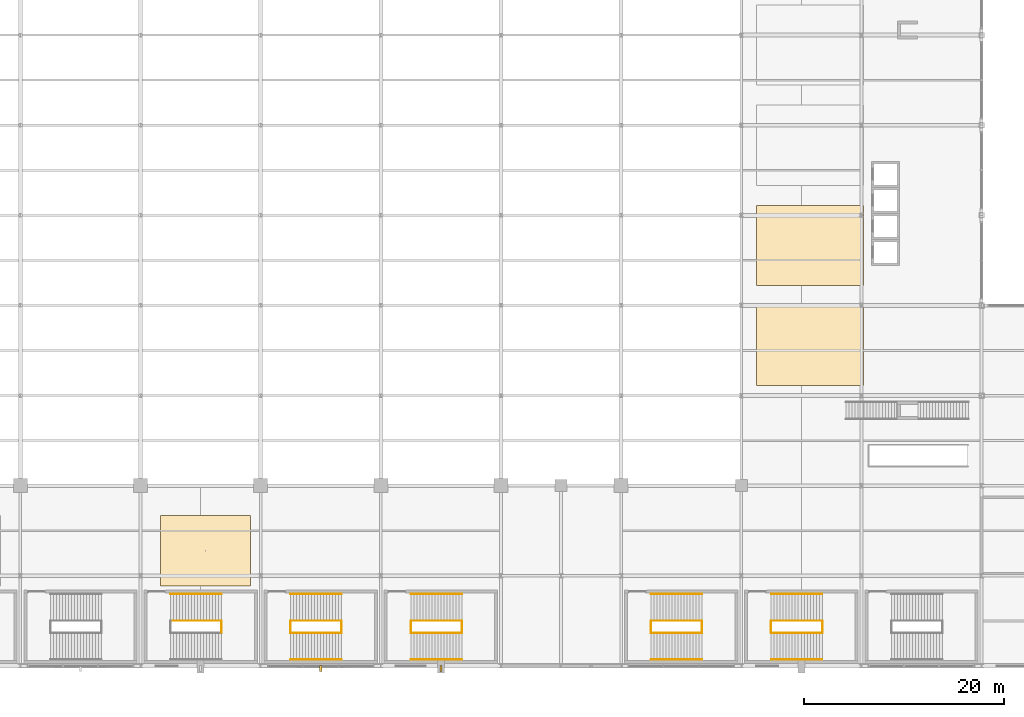
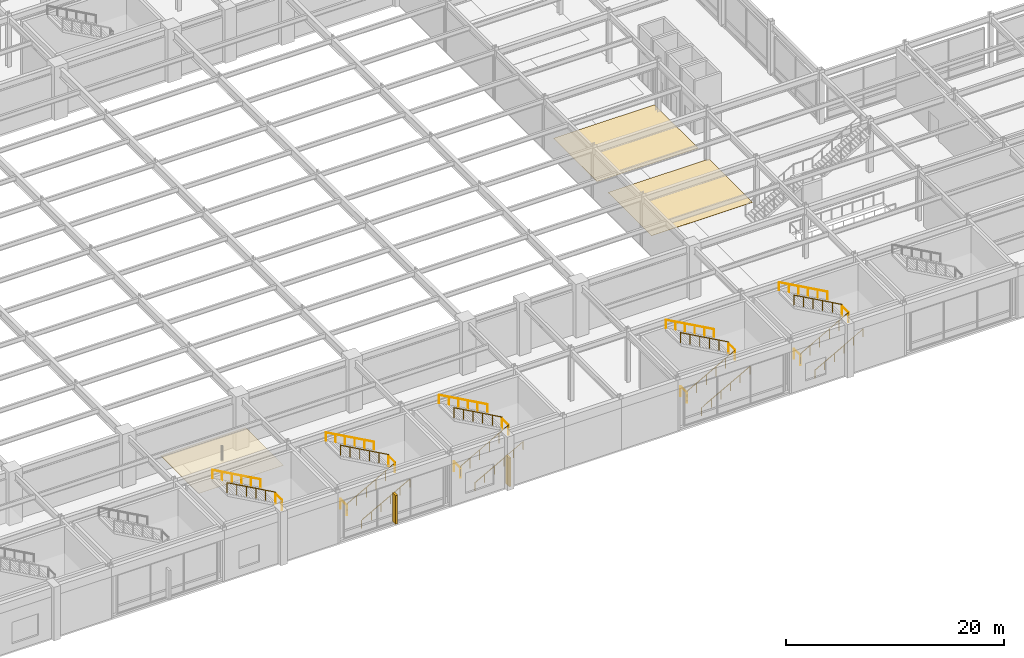
# One storey, part 98 of 105: 27 railings, 3 coverings, 2 shading devices.
"""IFC4 building model written with IfcOpenShell, lengths in metres."""

from ifc_helpers import new_model, si_unit, direction, frame, origin, origin_2d, place, context, subcontext, project, spatial, polyline, rectangle, circle, outline, extrude, material, layer, layer_set, type_object, element, save


model = new_model("IFC4")

# Units and contexts
model_context = context("Model", 3, precision=1e-05, world=origin(), true_north=direction((0.0, 1.0)))
body_context = subcontext(model_context, "Body", "Model", "MODEL_VIEW")
ifc_project = project(units=[si_unit("LENGTHUNIT", "METRE"), si_unit("AREAUNIT", "SQUARE_METRE"), si_unit("VOLUMEUNIT", "CUBIC_METRE"), si_unit("PLANEANGLEUNIT", "RADIAN"), si_unit("MASSUNIT", "GRAM", prefix="KILO")], contexts=[model_context])

# Site, building, storey
site_placement = place(None, origin())
site = spatial("IfcSite", under=ifc_project, at=site_placement, CompositionType="ELEMENT")
building_placement = place(site_placement, origin())
building = spatial("IfcBuilding", under=site, at=building_placement, Name="Kaldorvane Square Convention Centre", CompositionType="ELEMENT")
storey_placement = place(building_placement, frame((0.0, 0.0, 6.0)))
storey = spatial("IfcBuildingStorey", under=building, at=storey_placement, Name="L01", CompositionType="ELEMENT", Elevation=6.0)

# Coverings
ifc_material_1 = material(Name="Perforated Acoustic Mineral Fiber Ceiling")
ifc_layer_1 = layer(ifc_material_1, 0.024993896484375)
ifc_layer_set_1 = layer_set([ifc_layer_1], Name="Perforated Acoustic Mineral Fiber Ceiling")
covering_type_1 = type_object("IfcCoveringType", Name="CV-CEIL-025", PredefinedType="CEILING", material=ifc_layer_set_1)
covering_1_placement = place(storey_placement, frame((0.0, 0.0, 4.100006103515625)))
element("IfcCovering", 1, at=covering_1_placement, inside=storey, type_object=covering_type_1, Name="Acoustic Ceiling Canopy 04 (L01)", PredefinedType="CEILING", context=body_context, shape_type="SweptSolid", body=[
    extrude(outline(polyline([(56.0, 8.0), (65.0, 8.0), (65.0, 15.0), (56.0, 15.0), (56.0, 8.0)])), origin(), (0.0, 0.0, 1.0), 0.024993896484375),
])
ifc_material_2 = material(Name="Polished Aggregate Terrazzo Flooring")
ifc_layer_2 = layer(ifc_material_2, 0.0200042724609375)
ifc_layer_set_2 = layer_set([ifc_layer_2], Name="Polished Aggregate Terrazzo Flooring")
covering_type_2 = type_object("IfcCoveringType", Name="CV-FLR-020", PredefinedType="FLOORING", material=ifc_layer_set_2)
covering_2_placement = place(storey_placement, origin())
element("IfcCovering", 2, at=covering_2_placement, inside=storey, type_object=covering_type_2, Name="Mezzanine Gallery Terrazzo Zone 1", PredefinedType="FLOORING", context=body_context, shape_type="SweptSolid", body=[
    extrude(outline(polyline([(115.5, 28.0), (126.19999694824219, 28.0), (126.19999694824219, 36.0), (115.5, 36.0), (115.5, 28.0)])), origin(), (0.0, 0.0, 1.0), 0.0200042724609375),
])
covering_3_placement = place(storey_placement, origin())
element("IfcCovering", 3, at=covering_3_placement, inside=storey, type_object=covering_type_2, Name="Mezzanine Gallery Terrazzo Zone 2", PredefinedType="FLOORING", context=body_context, shape_type="SweptSolid", body=[
    extrude(outline(polyline([(115.5, 38.0), (126.19999694824219, 38.0), (126.19999694824219, 46.0), (115.5, 46.0), (115.5, 38.0)])), origin(), (0.0, 0.0, 1.0), 0.0200042724609375),
])

# Railings
ifc_material_3 = material(Name="Architectural Painted Steel", Category="steel")
railing_type_1 = type_object("IfcRailingType", Name="RL-GUARD-1120", PredefinedType="BALUSTRADE", material=ifc_material_3)
railing_1_placement = place(storey_placement, frame((62.089996337890625, 3.30999755859375, 3.0)))
element("IfcRailing", 4, at=railing_1_placement, inside=storey, type_object=railing_type_1, Name="Convention Exit Stair C5 Half-Landing Guard (L01)", PredefinedType="BALUSTRADE", context=body_context, shape_type="SweptSolid", body=[
    extrude(circle(Radius=0.0240020751953125, at=origin_2d()), frame((0.0, 0.0, 1.0959930419921875), z_axis=(0.0, 1.0, 0.0), x_axis=(-1.0, 0.0, 0.0)), (0.0, 0.0, 1.0), 1.19000244140625),
    extrude(circle(Radius=0.02099609375, at=origin_2d()), origin(), (0.0, 0.0, 1.0), 1.071990966796875),
    extrude(circle(Radius=0.02099609375, at=origin_2d()), frame((0.0, 1.19000244140625, 0.0)), (0.0, 0.0, 1.0), 1.071990966796875),
])
railing_2_placement = place(storey_placement, frame((62.089996337890625, 4.5099945068359375, 3.1666717529296875)))
element("IfcRailing", 5, at=railing_2_placement, inside=storey, type_object=railing_type_1, Name="Convention Exit Stair C5 Flight 2 Guard (L01)", PredefinedType="BALUSTRADE", context=body_context, shape_type="SweptSolid", body=[
    extrude(circle(Radius=0.0240020751953125, at=origin_2d()), frame((0.0, 0.0, 1.0959930419921875), z_axis=(-0.874157276122, 0.0, 0.485642931179), x_axis=(0.0, -1.0, 0.0)), (0.0, 0.0, 1.0), 5.8341827392578125),
    extrude(circle(Radius=0.02099609375, at=origin_2d()), origin(), (0.0, 0.0, 1.0), 1.071990966796875),
    extrude(circle(Radius=0.02099609375, at=origin_2d()), frame((-1.0200042724609375, 0.0, 0.5666656494140625)), (0.0, 0.0, 1.0), 1.071990966796875),
    extrude(circle(Radius=0.02099609375, at=origin_2d()), frame((-2.0399932861328125, 0.0, 1.133331298828125)), (0.0, 0.0, 1.0), 1.071990966796875),
    extrude(circle(Radius=0.02099609375, at=origin_2d()), frame((-3.05999755859375, 0.0, 1.6999969482421875)), (0.0, 0.0, 1.0), 1.071990966796875),
    extrude(circle(Radius=0.02099609375, at=origin_2d()), frame((-4.079986572265625, 0.0, 2.26666259765625)), (0.0, 0.0, 1.0), 1.071990966796875),
    extrude(circle(Radius=0.02099609375, at=origin_2d()), frame((-5.0999908447265625, 0.0, 2.8333282470703125)), (0.0, 0.0, 1.0), 1.071990966796875),
])
for number, where, name in (
    (6, (68.99000549316406, 3.30999755859375, 0.0), "Convention Exit Stair C6 Floor Well Guard (L01)"),
    (7, (74.08999633789062, 3.30999755859375, 3.0), "Convention Exit Stair C6 Half-Landing Guard (L01)"),
):
    element("IfcRailing", number, at=place(storey_placement, frame(where)), inside=storey, type_object=railing_type_1, Name=name, PredefinedType="BALUSTRADE", context=body_context, shape_type="SweptSolid", body=[
        extrude(circle(Radius=0.0240020751953125, at=origin_2d()), frame((0.0, 0.0, 1.0959930419921875), z_axis=(0.0, 1.0, 0.0), x_axis=(-1.0, 0.0, 0.0)), (0.0, 0.0, 1.0), 1.19000244140625),
        extrude(circle(Radius=0.02099609375, at=origin_2d()), origin(), (0.0, 0.0, 1.0), 1.071990966796875),
        extrude(circle(Radius=0.02099609375, at=origin_2d()), frame((0.0, 1.19000244140625, 0.0)), (0.0, 0.0, 1.0), 1.071990966796875),
    ])
railing_3_placement = place(storey_placement, frame((68.99000549316406, 3.3000030517578125, 0.1666717529296875)))
element("IfcRailing", 8, at=railing_3_placement, inside=storey, type_object=railing_type_1, Name="Convention Exit Stair C6 Flight 1 Guard (L01)", PredefinedType="BALUSTRADE", context=body_context, shape_type="SweptSolid", body=[
    extrude(circle(Radius=0.0240020751953125, at=origin_2d()), frame((0.0, 0.0, 1.0959930419921875), z_axis=(0.874157276122, 0.0, 0.485642931179), x_axis=(0.0, 1.0, 0.0)), (0.0, 0.0, 1.0), 5.8341827392578125),
    extrude(circle(Radius=0.02099609375, at=origin_2d()), origin(), (0.0, 0.0, 1.0), 1.071990966796875),
    extrude(circle(Radius=0.02099609375, at=origin_2d()), frame((1.0200042724609375, 0.0, 0.5666656494140625)), (0.0, 0.0, 1.0), 1.071990966796875),
    extrude(circle(Radius=0.02099609375, at=origin_2d()), frame((2.0399932861328125, 0.0, 1.133331298828125)), (0.0, 0.0, 1.0), 1.071990966796875),
    extrude(circle(Radius=0.02099609375, at=origin_2d()), frame((3.05999755859375, 0.0, 1.6999969482421875)), (0.0, 0.0, 1.0), 1.071990966796875),
    extrude(circle(Radius=0.02099609375, at=origin_2d()), frame((4.079986572265625, 0.0, 2.26666259765625)), (0.0, 0.0, 1.0), 1.071990966796875),
    extrude(circle(Radius=0.02099609375, at=origin_2d()), frame((5.0999908447265625, 0.0, 2.8333282470703125)), (0.0, 0.0, 1.0), 1.071990966796875),
])
railing_4_placement = place(storey_placement, frame((74.08999633789062, 4.5099945068359375, 3.1666717529296875)))
element("IfcRailing", 9, at=railing_4_placement, inside=storey, type_object=railing_type_1, Name="Convention Exit Stair C6 Flight 2 Guard (L01)", PredefinedType="BALUSTRADE", context=body_context, shape_type="SweptSolid", body=[
    extrude(circle(Radius=0.0240020751953125, at=origin_2d()), frame((0.0, 0.0, 1.0959930419921875), z_axis=(-0.874157276122, 0.0, 0.485642931179), x_axis=(0.0, -1.0, 0.0)), (0.0, 0.0, 1.0), 5.8341827392578125),
    extrude(circle(Radius=0.02099609375, at=origin_2d()), origin(), (0.0, 0.0, 1.0), 1.071990966796875),
    extrude(circle(Radius=0.02099609375, at=origin_2d()), frame((-1.0200042724609375, 0.0, 0.5666656494140625)), (0.0, 0.0, 1.0), 1.071990966796875),
    extrude(circle(Radius=0.02099609375, at=origin_2d()), frame((-2.0399932861328125, 0.0, 1.133331298828125)), (0.0, 0.0, 1.0), 1.071990966796875),
    extrude(circle(Radius=0.02099609375, at=origin_2d()), frame((-3.05999755859375, 0.0, 1.6999969482421875)), (0.0, 0.0, 1.0), 1.071990966796875),
    extrude(circle(Radius=0.02099609375, at=origin_2d()), frame((-4.079986572265625, 0.0, 2.26666259765625)), (0.0, 0.0, 1.0), 1.071990966796875),
    extrude(circle(Radius=0.02099609375, at=origin_2d()), frame((-5.0999908447265625, 0.0, 2.8333282470703125)), (0.0, 0.0, 1.0), 1.071990966796875),
])
for number, where, name in (
    (10, (80.99000549316406, 3.30999755859375, 0.0), "Convention Exit Stair C7 Floor Well Guard (L01)"),
    (11, (86.08999633789062, 3.30999755859375, 3.0), "Convention Exit Stair C7 Half-Landing Guard (L01)"),
):
    element("IfcRailing", number, at=place(storey_placement, frame(where)), inside=storey, type_object=railing_type_1, Name=name, PredefinedType="BALUSTRADE", context=body_context, shape_type="SweptSolid", body=[
        extrude(circle(Radius=0.0240020751953125, at=origin_2d()), frame((0.0, 0.0, 1.0959930419921875), z_axis=(0.0, 1.0, 0.0), x_axis=(-1.0, 0.0, 0.0)), (0.0, 0.0, 1.0), 1.19000244140625),
        extrude(circle(Radius=0.02099609375, at=origin_2d()), origin(), (0.0, 0.0, 1.0), 1.071990966796875),
        extrude(circle(Radius=0.02099609375, at=origin_2d()), frame((0.0, 1.19000244140625, 0.0)), (0.0, 0.0, 1.0), 1.071990966796875),
    ])
railing_5_placement = place(storey_placement, frame((80.99000549316406, 3.3000030517578125, 0.1666717529296875)))
element("IfcRailing", 12, at=railing_5_placement, inside=storey, type_object=railing_type_1, Name="Convention Exit Stair C7 Flight 1 Guard (L01)", PredefinedType="BALUSTRADE", context=body_context, shape_type="SweptSolid", body=[
    extrude(circle(Radius=0.0240020751953125, at=origin_2d()), frame((0.0, 0.0, 1.0959930419921875), z_axis=(0.874157276122, 0.0, 0.485642931179), x_axis=(0.0, 1.0, 0.0)), (0.0, 0.0, 1.0), 5.8341827392578125),
    extrude(circle(Radius=0.02099609375, at=origin_2d()), origin(), (0.0, 0.0, 1.0), 1.071990966796875),
    extrude(circle(Radius=0.02099609375, at=origin_2d()), frame((1.0200042724609375, 0.0, 0.5666656494140625)), (0.0, 0.0, 1.0), 1.071990966796875),
    extrude(circle(Radius=0.02099609375, at=origin_2d()), frame((2.0399932861328125, 0.0, 1.133331298828125)), (0.0, 0.0, 1.0), 1.071990966796875),
    extrude(circle(Radius=0.02099609375, at=origin_2d()), frame((3.05999755859375, 0.0, 1.6999969482421875)), (0.0, 0.0, 1.0), 1.071990966796875),
    extrude(circle(Radius=0.02099609375, at=origin_2d()), frame((4.079986572265625, 0.0, 2.26666259765625)), (0.0, 0.0, 1.0), 1.071990966796875),
    extrude(circle(Radius=0.02099609375, at=origin_2d()), frame((5.0999908447265625, 0.0, 2.8333282470703125)), (0.0, 0.0, 1.0), 1.071990966796875),
])
railing_6_placement = place(storey_placement, frame((86.08999633789062, 4.5099945068359375, 3.1666717529296875)))
element("IfcRailing", 13, at=railing_6_placement, inside=storey, type_object=railing_type_1, Name="Convention Exit Stair C7 Flight 2 Guard (L01)", PredefinedType="BALUSTRADE", context=body_context, shape_type="SweptSolid", body=[
    extrude(circle(Radius=0.0240020751953125, at=origin_2d()), frame((0.0, 0.0, 1.0959930419921875), z_axis=(-0.874157276122, 0.0, 0.485642931179), x_axis=(0.0, -1.0, 0.0)), (0.0, 0.0, 1.0), 5.8341827392578125),
    extrude(circle(Radius=0.02099609375, at=origin_2d()), origin(), (0.0, 0.0, 1.0), 1.071990966796875),
    extrude(circle(Radius=0.02099609375, at=origin_2d()), frame((-1.0200042724609375, 0.0, 0.5666656494140625)), (0.0, 0.0, 1.0), 1.071990966796875),
    extrude(circle(Radius=0.02099609375, at=origin_2d()), frame((-2.0399932861328125, 0.0, 1.133331298828125)), (0.0, 0.0, 1.0), 1.071990966796875),
    extrude(circle(Radius=0.02099609375, at=origin_2d()), frame((-3.05999755859375, 0.0, 1.6999969482421875)), (0.0, 0.0, 1.0), 1.071990966796875),
    extrude(circle(Radius=0.02099609375, at=origin_2d()), frame((-4.079986572265625, 0.0, 2.26666259765625)), (0.0, 0.0, 1.0), 1.071990966796875),
    extrude(circle(Radius=0.02099609375, at=origin_2d()), frame((-5.0999908447265625, 0.0, 2.8333282470703125)), (0.0, 0.0, 1.0), 1.071990966796875),
])
for number, where, name in (
    (14, (104.99000549316406, 3.30999755859375, 0.0), "Convention Exit Stair C8 Floor Well Guard (L01)"),
    (15, (110.08999633789062, 3.30999755859375, 3.0), "Convention Exit Stair C8 Half-Landing Guard (L01)"),
):
    element("IfcRailing", number, at=place(storey_placement, frame(where)), inside=storey, type_object=railing_type_1, Name=name, PredefinedType="BALUSTRADE", context=body_context, shape_type="SweptSolid", body=[
        extrude(circle(Radius=0.0240020751953125, at=origin_2d()), frame((0.0, 0.0, 1.0959930419921875), z_axis=(0.0, 1.0, 0.0), x_axis=(-1.0, 0.0, 0.0)), (0.0, 0.0, 1.0), 1.19000244140625),
        extrude(circle(Radius=0.02099609375, at=origin_2d()), origin(), (0.0, 0.0, 1.0), 1.071990966796875),
        extrude(circle(Radius=0.02099609375, at=origin_2d()), frame((0.0, 1.19000244140625, 0.0)), (0.0, 0.0, 1.0), 1.071990966796875),
    ])
railing_7_placement = place(storey_placement, frame((104.99000549316406, 3.3000030517578125, 0.1666717529296875)))
element("IfcRailing", 16, at=railing_7_placement, inside=storey, type_object=railing_type_1, Name="Convention Exit Stair C8 Flight 1 Guard (L01)", PredefinedType="BALUSTRADE", context=body_context, shape_type="SweptSolid", body=[
    extrude(circle(Radius=0.0240020751953125, at=origin_2d()), frame((0.0, 0.0, 1.0959930419921875), z_axis=(0.874157276122, 0.0, 0.485642931179), x_axis=(0.0, 1.0, 0.0)), (0.0, 0.0, 1.0), 5.8341827392578125),
    extrude(circle(Radius=0.02099609375, at=origin_2d()), origin(), (0.0, 0.0, 1.0), 1.071990966796875),
    extrude(circle(Radius=0.02099609375, at=origin_2d()), frame((1.0200042724609375, 0.0, 0.5666656494140625)), (0.0, 0.0, 1.0), 1.071990966796875),
    extrude(circle(Radius=0.02099609375, at=origin_2d()), frame((2.0399932861328125, 0.0, 1.133331298828125)), (0.0, 0.0, 1.0), 1.071990966796875),
    extrude(circle(Radius=0.02099609375, at=origin_2d()), frame((3.05999755859375, 0.0, 1.6999969482421875)), (0.0, 0.0, 1.0), 1.071990966796875),
    extrude(circle(Radius=0.02099609375, at=origin_2d()), frame((4.079986572265625, 0.0, 2.26666259765625)), (0.0, 0.0, 1.0), 1.071990966796875),
    extrude(circle(Radius=0.02099609375, at=origin_2d()), frame((5.0999908447265625, 0.0, 2.8333282470703125)), (0.0, 0.0, 1.0), 1.071990966796875),
])
railing_8_placement = place(storey_placement, frame((110.08999633789062, 4.5099945068359375, 3.1666717529296875)))
element("IfcRailing", 17, at=railing_8_placement, inside=storey, type_object=railing_type_1, Name="Convention Exit Stair C8 Flight 2 Guard (L01)", PredefinedType="BALUSTRADE", context=body_context, shape_type="SweptSolid", body=[
    extrude(circle(Radius=0.0240020751953125, at=origin_2d()), frame((0.0, 0.0, 1.0959930419921875), z_axis=(-0.874157276122, 0.0, 0.485642931179), x_axis=(0.0, -1.0, 0.0)), (0.0, 0.0, 1.0), 5.8341827392578125),
    extrude(circle(Radius=0.02099609375, at=origin_2d()), origin(), (0.0, 0.0, 1.0), 1.071990966796875),
    extrude(circle(Radius=0.02099609375, at=origin_2d()), frame((-1.0200042724609375, 0.0, 0.5666656494140625)), (0.0, 0.0, 1.0), 1.071990966796875),
    extrude(circle(Radius=0.02099609375, at=origin_2d()), frame((-2.0399932861328125, 0.0, 1.133331298828125)), (0.0, 0.0, 1.0), 1.071990966796875),
    extrude(circle(Radius=0.02099609375, at=origin_2d()), frame((-3.05999755859375, 0.0, 1.6999969482421875)), (0.0, 0.0, 1.0), 1.071990966796875),
    extrude(circle(Radius=0.02099609375, at=origin_2d()), frame((-4.079986572265625, 0.0, 2.26666259765625)), (0.0, 0.0, 1.0), 1.071990966796875),
    extrude(circle(Radius=0.02099609375, at=origin_2d()), frame((-5.0999908447265625, 0.0, 2.8333282470703125)), (0.0, 0.0, 1.0), 1.071990966796875),
])
for number, where, name in (
    (18, (116.99000549316406, 3.30999755859375, 0.0), "Convention Exit Stair C9 Floor Well Guard (L01)"),
    (19, (122.08999633789062, 3.30999755859375, 3.0), "Convention Exit Stair C9 Half-Landing Guard (L01)"),
):
    element("IfcRailing", number, at=place(storey_placement, frame(where)), inside=storey, type_object=railing_type_1, Name=name, PredefinedType="BALUSTRADE", context=body_context, shape_type="SweptSolid", body=[
        extrude(circle(Radius=0.0240020751953125, at=origin_2d()), frame((0.0, 0.0, 1.0959930419921875), z_axis=(0.0, 1.0, 0.0), x_axis=(-1.0, 0.0, 0.0)), (0.0, 0.0, 1.0), 1.19000244140625),
        extrude(circle(Radius=0.02099609375, at=origin_2d()), origin(), (0.0, 0.0, 1.0), 1.071990966796875),
        extrude(circle(Radius=0.02099609375, at=origin_2d()), frame((0.0, 1.19000244140625, 0.0)), (0.0, 0.0, 1.0), 1.071990966796875),
    ])
railing_9_placement = place(storey_placement, frame((116.99000549316406, 3.3000030517578125, 0.1666717529296875)))
element("IfcRailing", 20, at=railing_9_placement, inside=storey, type_object=railing_type_1, Name="Convention Exit Stair C9 Flight 1 Guard (L01)", PredefinedType="BALUSTRADE", context=body_context, shape_type="SweptSolid", body=[
    extrude(circle(Radius=0.0240020751953125, at=origin_2d()), frame((0.0, 0.0, 1.0959930419921875), z_axis=(0.874157276122, 0.0, 0.485642931179), x_axis=(0.0, 1.0, 0.0)), (0.0, 0.0, 1.0), 5.8341827392578125),
    extrude(circle(Radius=0.02099609375, at=origin_2d()), origin(), (0.0, 0.0, 1.0), 1.071990966796875),
    extrude(circle(Radius=0.02099609375, at=origin_2d()), frame((1.0200042724609375, 0.0, 0.5666656494140625)), (0.0, 0.0, 1.0), 1.071990966796875),
    extrude(circle(Radius=0.02099609375, at=origin_2d()), frame((2.0399932861328125, 0.0, 1.133331298828125)), (0.0, 0.0, 1.0), 1.071990966796875),
    extrude(circle(Radius=0.02099609375, at=origin_2d()), frame((3.05999755859375, 0.0, 1.6999969482421875)), (0.0, 0.0, 1.0), 1.071990966796875),
    extrude(circle(Radius=0.02099609375, at=origin_2d()), frame((4.079986572265625, 0.0, 2.26666259765625)), (0.0, 0.0, 1.0), 1.071990966796875),
    extrude(circle(Radius=0.02099609375, at=origin_2d()), frame((5.0999908447265625, 0.0, 2.8333282470703125)), (0.0, 0.0, 1.0), 1.071990966796875),
])
railing_10_placement = place(storey_placement, frame((122.08999633789062, 4.5099945068359375, 3.1666717529296875)))
element("IfcRailing", 21, at=railing_10_placement, inside=storey, type_object=railing_type_1, Name="Convention Exit Stair C9 Flight 2 Guard (L01)", PredefinedType="BALUSTRADE", context=body_context, shape_type="SweptSolid", body=[
    extrude(circle(Radius=0.0240020751953125, at=origin_2d()), frame((0.0, 0.0, 1.0959930419921875), z_axis=(-0.874157276122, 0.0, 0.485642931179), x_axis=(0.0, -1.0, 0.0)), (0.0, 0.0, 1.0), 5.8341827392578125),
    extrude(circle(Radius=0.02099609375, at=origin_2d()), origin(), (0.0, 0.0, 1.0), 1.071990966796875),
    extrude(circle(Radius=0.02099609375, at=origin_2d()), frame((-1.0200042724609375, 0.0, 0.5666656494140625)), (0.0, 0.0, 1.0), 1.071990966796875),
    extrude(circle(Radius=0.02099609375, at=origin_2d()), frame((-2.0399932861328125, 0.0, 1.133331298828125)), (0.0, 0.0, 1.0), 1.071990966796875),
    extrude(circle(Radius=0.02099609375, at=origin_2d()), frame((-3.05999755859375, 0.0, 1.6999969482421875)), (0.0, 0.0, 1.0), 1.071990966796875),
    extrude(circle(Radius=0.02099609375, at=origin_2d()), frame((-4.079986572265625, 0.0, 2.26666259765625)), (0.0, 0.0, 1.0), 1.071990966796875),
    extrude(circle(Radius=0.02099609375, at=origin_2d()), frame((-5.0999908447265625, 0.0, 2.8333282470703125)), (0.0, 0.0, 1.0), 1.071990966796875),
])
railing_type_2 = type_object("IfcRailingType", Name="RL-HAND-915", PredefinedType="HANDRAIL", material=ifc_material_3)
railing_11_placement = place(storey_placement, frame((62.089996337890625, 7.19000244140625, 3.1666717529296875)))
element("IfcRailing", 22, at=railing_11_placement, inside=storey, type_object=railing_type_2, Name="Convention Exit Stair C5 Wall Handrail 2 (L01)", PredefinedType="HANDRAIL", context=body_context, shape_type="SweptSolid", body=[
    extrude(circle(Radius=0.0240020751953125, at=origin_2d()), frame((0.0, 0.0, 0.8909912109375), z_axis=(-0.874157276122, 0.0, 0.485642931179), x_axis=(0.0, -1.0, 0.0)), (0.0, 0.0, 1.0), 5.8341827392578125),
    extrude(circle(Radius=0.02099609375, at=origin_2d()), origin(), (0.0, 0.0, 1.0), 0.8669891357421875),
    extrude(circle(Radius=0.02099609375, at=origin_2d()), frame((-1.0200042724609375, 0.0, 0.5666656494140625)), (0.0, 0.0, 1.0), 0.8669891357421875),
    extrude(circle(Radius=0.02099609375, at=origin_2d()), frame((-2.0399932861328125, 0.0, 1.133331298828125)), (0.0, 0.0, 1.0), 0.8669891357421875),
    extrude(circle(Radius=0.02099609375, at=origin_2d()), frame((-3.05999755859375, 0.0, 1.6999969482421875)), (0.0, 0.0, 1.0), 0.8669891357421875),
    extrude(circle(Radius=0.02099609375, at=origin_2d()), frame((-4.079986572265625, 0.0, 2.26666259765625)), (0.0, 0.0, 1.0), 0.8669891357421875),
    extrude(circle(Radius=0.02099609375, at=origin_2d()), frame((-5.0999908447265625, 0.0, 2.8333282470703125)), (0.0, 0.0, 1.0), 0.8669891357421875),
])
railing_12_placement = place(storey_placement, frame((68.99000549316406, 0.6199951171875, 0.1666717529296875)))
element("IfcRailing", 23, at=railing_12_placement, inside=storey, type_object=railing_type_2, Name="Convention Exit Stair C6 Wall Handrail 1 (L01)", PredefinedType="HANDRAIL", context=body_context, shape_type="SweptSolid", body=[
    extrude(circle(Radius=0.0240020751953125, at=origin_2d()), frame((0.0, 0.0, 0.8909912109375), z_axis=(0.874157276122, 0.0, 0.485642931179), x_axis=(0.0, 1.0, 0.0)), (0.0, 0.0, 1.0), 5.8341827392578125),
    extrude(circle(Radius=0.02099609375, at=origin_2d()), origin(), (0.0, 0.0, 1.0), 0.8669891357421875),
    extrude(circle(Radius=0.02099609375, at=origin_2d()), frame((1.0200042724609375, 0.0, 0.5666656494140625)), (0.0, 0.0, 1.0), 0.8669891357421875),
    extrude(circle(Radius=0.02099609375, at=origin_2d()), frame((2.0399932861328125, 0.0, 1.133331298828125)), (0.0, 0.0, 1.0), 0.8669891357421875),
    extrude(circle(Radius=0.02099609375, at=origin_2d()), frame((3.05999755859375, 0.0, 1.6999969482421875)), (0.0, 0.0, 1.0), 0.8669891357421875),
    extrude(circle(Radius=0.02099609375, at=origin_2d()), frame((4.079986572265625, 0.0, 2.26666259765625)), (0.0, 0.0, 1.0), 0.8669891357421875),
    extrude(circle(Radius=0.02099609375, at=origin_2d()), frame((5.0999908447265625, 0.0, 2.8333282470703125)), (0.0, 0.0, 1.0), 0.8669891357421875),
])
railing_13_placement = place(storey_placement, frame((74.08999633789062, 7.19000244140625, 3.1666717529296875)))
element("IfcRailing", 24, at=railing_13_placement, inside=storey, type_object=railing_type_2, Name="Convention Exit Stair C6 Wall Handrail 2 (L01)", PredefinedType="HANDRAIL", context=body_context, shape_type="SweptSolid", body=[
    extrude(circle(Radius=0.0240020751953125, at=origin_2d()), frame((0.0, 0.0, 0.8909912109375), z_axis=(-0.874157276122, 0.0, 0.485642931179), x_axis=(0.0, -1.0, 0.0)), (0.0, 0.0, 1.0), 5.8341827392578125),
    extrude(circle(Radius=0.02099609375, at=origin_2d()), origin(), (0.0, 0.0, 1.0), 0.8669891357421875),
    extrude(circle(Radius=0.02099609375, at=origin_2d()), frame((-1.0200042724609375, 0.0, 0.5666656494140625)), (0.0, 0.0, 1.0), 0.8669891357421875),
    extrude(circle(Radius=0.02099609375, at=origin_2d()), frame((-2.0399932861328125, 0.0, 1.133331298828125)), (0.0, 0.0, 1.0), 0.8669891357421875),
    extrude(circle(Radius=0.02099609375, at=origin_2d()), frame((-3.05999755859375, 0.0, 1.6999969482421875)), (0.0, 0.0, 1.0), 0.8669891357421875),
    extrude(circle(Radius=0.02099609375, at=origin_2d()), frame((-4.079986572265625, 0.0, 2.26666259765625)), (0.0, 0.0, 1.0), 0.8669891357421875),
    extrude(circle(Radius=0.02099609375, at=origin_2d()), frame((-5.0999908447265625, 0.0, 2.8333282470703125)), (0.0, 0.0, 1.0), 0.8669891357421875),
])
railing_14_placement = place(storey_placement, frame((80.99000549316406, 0.6199951171875, 0.1666717529296875)))
element("IfcRailing", 25, at=railing_14_placement, inside=storey, type_object=railing_type_2, Name="Convention Exit Stair C7 Wall Handrail 1 (L01)", PredefinedType="HANDRAIL", context=body_context, shape_type="SweptSolid", body=[
    extrude(circle(Radius=0.0240020751953125, at=origin_2d()), frame((0.0, 0.0, 0.8909912109375), z_axis=(0.874157276122, 0.0, 0.485642931179), x_axis=(0.0, 1.0, 0.0)), (0.0, 0.0, 1.0), 5.8341827392578125),
    extrude(circle(Radius=0.02099609375, at=origin_2d()), origin(), (0.0, 0.0, 1.0), 0.8669891357421875),
    extrude(circle(Radius=0.02099609375, at=origin_2d()), frame((1.0200042724609375, 0.0, 0.5666656494140625)), (0.0, 0.0, 1.0), 0.8669891357421875),
    extrude(circle(Radius=0.02099609375, at=origin_2d()), frame((2.0399932861328125, 0.0, 1.133331298828125)), (0.0, 0.0, 1.0), 0.8669891357421875),
    extrude(circle(Radius=0.02099609375, at=origin_2d()), frame((3.05999755859375, 0.0, 1.6999969482421875)), (0.0, 0.0, 1.0), 0.8669891357421875),
    extrude(circle(Radius=0.02099609375, at=origin_2d()), frame((4.079986572265625, 0.0, 2.26666259765625)), (0.0, 0.0, 1.0), 0.8669891357421875),
    extrude(circle(Radius=0.02099609375, at=origin_2d()), frame((5.0999908447265625, 0.0, 2.8333282470703125)), (0.0, 0.0, 1.0), 0.8669891357421875),
])
railing_15_placement = place(storey_placement, frame((86.08999633789062, 7.19000244140625, 3.1666717529296875)))
element("IfcRailing", 26, at=railing_15_placement, inside=storey, type_object=railing_type_2, Name="Convention Exit Stair C7 Wall Handrail 2 (L01)", PredefinedType="HANDRAIL", context=body_context, shape_type="SweptSolid", body=[
    extrude(circle(Radius=0.0240020751953125, at=origin_2d()), frame((0.0, 0.0, 0.8909912109375), z_axis=(-0.874157276122, 0.0, 0.485642931179), x_axis=(0.0, -1.0, 0.0)), (0.0, 0.0, 1.0), 5.8341827392578125),
    extrude(circle(Radius=0.02099609375, at=origin_2d()), origin(), (0.0, 0.0, 1.0), 0.8669891357421875),
    extrude(circle(Radius=0.02099609375, at=origin_2d()), frame((-1.0200042724609375, 0.0, 0.5666656494140625)), (0.0, 0.0, 1.0), 0.8669891357421875),
    extrude(circle(Radius=0.02099609375, at=origin_2d()), frame((-2.0399932861328125, 0.0, 1.133331298828125)), (0.0, 0.0, 1.0), 0.8669891357421875),
    extrude(circle(Radius=0.02099609375, at=origin_2d()), frame((-3.05999755859375, 0.0, 1.6999969482421875)), (0.0, 0.0, 1.0), 0.8669891357421875),
    extrude(circle(Radius=0.02099609375, at=origin_2d()), frame((-4.079986572265625, 0.0, 2.26666259765625)), (0.0, 0.0, 1.0), 0.8669891357421875),
    extrude(circle(Radius=0.02099609375, at=origin_2d()), frame((-5.0999908447265625, 0.0, 2.8333282470703125)), (0.0, 0.0, 1.0), 0.8669891357421875),
])
railing_16_placement = place(storey_placement, frame((104.99000549316406, 0.6199951171875, 0.1666717529296875)))
element("IfcRailing", 27, at=railing_16_placement, inside=storey, type_object=railing_type_2, Name="Convention Exit Stair C8 Wall Handrail 1 (L01)", PredefinedType="HANDRAIL", context=body_context, shape_type="SweptSolid", body=[
    extrude(circle(Radius=0.0240020751953125, at=origin_2d()), frame((0.0, 0.0, 0.8909912109375), z_axis=(0.874157276122, 0.0, 0.485642931179), x_axis=(0.0, 1.0, 0.0)), (0.0, 0.0, 1.0), 5.8341827392578125),
    extrude(circle(Radius=0.02099609375, at=origin_2d()), origin(), (0.0, 0.0, 1.0), 0.8669891357421875),
    extrude(circle(Radius=0.02099609375, at=origin_2d()), frame((1.0200042724609375, 0.0, 0.5666656494140625)), (0.0, 0.0, 1.0), 0.8669891357421875),
    extrude(circle(Radius=0.02099609375, at=origin_2d()), frame((2.0399932861328125, 0.0, 1.133331298828125)), (0.0, 0.0, 1.0), 0.8669891357421875),
    extrude(circle(Radius=0.02099609375, at=origin_2d()), frame((3.05999755859375, 0.0, 1.6999969482421875)), (0.0, 0.0, 1.0), 0.8669891357421875),
    extrude(circle(Radius=0.02099609375, at=origin_2d()), frame((4.079986572265625, 0.0, 2.26666259765625)), (0.0, 0.0, 1.0), 0.8669891357421875),
    extrude(circle(Radius=0.02099609375, at=origin_2d()), frame((5.0999908447265625, 0.0, 2.8333282470703125)), (0.0, 0.0, 1.0), 0.8669891357421875),
])
railing_17_placement = place(storey_placement, frame((110.08999633789062, 7.19000244140625, 3.1666717529296875)))
element("IfcRailing", 28, at=railing_17_placement, inside=storey, type_object=railing_type_2, Name="Convention Exit Stair C8 Wall Handrail 2 (L01)", PredefinedType="HANDRAIL", context=body_context, shape_type="SweptSolid", body=[
    extrude(circle(Radius=0.0240020751953125, at=origin_2d()), frame((0.0, 0.0, 0.8909912109375), z_axis=(-0.874157276122, 0.0, 0.485642931179), x_axis=(0.0, -1.0, 0.0)), (0.0, 0.0, 1.0), 5.8341827392578125),
    extrude(circle(Radius=0.02099609375, at=origin_2d()), origin(), (0.0, 0.0, 1.0), 0.8669891357421875),
    extrude(circle(Radius=0.02099609375, at=origin_2d()), frame((-1.0200042724609375, 0.0, 0.5666656494140625)), (0.0, 0.0, 1.0), 0.8669891357421875),
    extrude(circle(Radius=0.02099609375, at=origin_2d()), frame((-2.0399932861328125, 0.0, 1.133331298828125)), (0.0, 0.0, 1.0), 0.8669891357421875),
    extrude(circle(Radius=0.02099609375, at=origin_2d()), frame((-3.05999755859375, 0.0, 1.6999969482421875)), (0.0, 0.0, 1.0), 0.8669891357421875),
    extrude(circle(Radius=0.02099609375, at=origin_2d()), frame((-4.079986572265625, 0.0, 2.26666259765625)), (0.0, 0.0, 1.0), 0.8669891357421875),
    extrude(circle(Radius=0.02099609375, at=origin_2d()), frame((-5.0999908447265625, 0.0, 2.8333282470703125)), (0.0, 0.0, 1.0), 0.8669891357421875),
])
railing_18_placement = place(storey_placement, frame((116.99000549316406, 0.6199951171875, 0.1666717529296875)))
element("IfcRailing", 29, at=railing_18_placement, inside=storey, type_object=railing_type_2, Name="Convention Exit Stair C9 Wall Handrail 1 (L01)", PredefinedType="HANDRAIL", context=body_context, shape_type="SweptSolid", body=[
    extrude(circle(Radius=0.0240020751953125, at=origin_2d()), frame((0.0, 0.0, 0.8909912109375), z_axis=(0.874157276122, 0.0, 0.485642931179), x_axis=(0.0, 1.0, 0.0)), (0.0, 0.0, 1.0), 5.8341827392578125),
    extrude(circle(Radius=0.02099609375, at=origin_2d()), origin(), (0.0, 0.0, 1.0), 0.8669891357421875),
    extrude(circle(Radius=0.02099609375, at=origin_2d()), frame((1.0200042724609375, 0.0, 0.5666656494140625)), (0.0, 0.0, 1.0), 0.8669891357421875),
    extrude(circle(Radius=0.02099609375, at=origin_2d()), frame((2.0399932861328125, 0.0, 1.133331298828125)), (0.0, 0.0, 1.0), 0.8669891357421875),
    extrude(circle(Radius=0.02099609375, at=origin_2d()), frame((3.05999755859375, 0.0, 1.6999969482421875)), (0.0, 0.0, 1.0), 0.8669891357421875),
    extrude(circle(Radius=0.02099609375, at=origin_2d()), frame((4.079986572265625, 0.0, 2.26666259765625)), (0.0, 0.0, 1.0), 0.8669891357421875),
    extrude(circle(Radius=0.02099609375, at=origin_2d()), frame((5.0999908447265625, 0.0, 2.8333282470703125)), (0.0, 0.0, 1.0), 0.8669891357421875),
])
railing_19_placement = place(storey_placement, frame((122.08999633789062, 7.19000244140625, 3.1666717529296875)))
element("IfcRailing", 30, at=railing_19_placement, inside=storey, type_object=railing_type_2, Name="Convention Exit Stair C9 Wall Handrail 2 (L01)", PredefinedType="HANDRAIL", context=body_context, shape_type="SweptSolid", body=[
    extrude(circle(Radius=0.0240020751953125, at=origin_2d()), frame((0.0, 0.0, 0.8909912109375), z_axis=(-0.874157276122, 0.0, 0.485642931179), x_axis=(0.0, -1.0, 0.0)), (0.0, 0.0, 1.0), 5.8341827392578125),
    extrude(circle(Radius=0.02099609375, at=origin_2d()), origin(), (0.0, 0.0, 1.0), 0.8669891357421875),
    extrude(circle(Radius=0.02099609375, at=origin_2d()), frame((-1.0200042724609375, 0.0, 0.5666656494140625)), (0.0, 0.0, 1.0), 0.8669891357421875),
    extrude(circle(Radius=0.02099609375, at=origin_2d()), frame((-2.0399932861328125, 0.0, 1.133331298828125)), (0.0, 0.0, 1.0), 0.8669891357421875),
    extrude(circle(Radius=0.02099609375, at=origin_2d()), frame((-3.05999755859375, 0.0, 1.6999969482421875)), (0.0, 0.0, 1.0), 0.8669891357421875),
    extrude(circle(Radius=0.02099609375, at=origin_2d()), frame((-4.079986572265625, 0.0, 2.26666259765625)), (0.0, 0.0, 1.0), 0.8669891357421875),
    extrude(circle(Radius=0.02099609375, at=origin_2d()), frame((-5.0999908447265625, 0.0, 2.8333282470703125)), (0.0, 0.0, 1.0), 0.8669891357421875),
])

# Shading devices
ifc_material_4 = material(Name="Concrete f'c = 42 MPa (Normalweight) Precast", Category="concrete")
shading_device_type = type_object("IfcShadingDeviceType", Name="SD-FIN-600", PredefinedType="SHUTTER", material=ifc_material_4)
for number, where, z_axis, x_axis, name in (
    (31, (72.0, -0.279998779296875, 0.29998779296875), (0.0, 0.0, 1.0), (1.0, 0.0, 0.0), "Brutalist Precast Solar Fin (L01)"),
    (32, (84.0, -0.279998779296875, 0.29998779296875), (0.0, 0.0, 1.0), (1.0, 0.0, 0.0), "Brutalist Precast Solar Fin (L01)"),
):
    element("IfcShadingDevice", number, at=place(storey_placement, frame(where, z_axis=z_axis, x_axis=x_axis)), inside=storey, type_object=shading_device_type, Name=name, PredefinedType="SHUTTER", context=body_context, shape_type="SweptSolid", body=[
        extrude(rectangle(XDim=0.220001220703125, YDim=0.600006103515625, at=origin_2d()), origin(), (0.0, 0.0, 1.0), 3.1999969482421875),
    ])

save(model, "model.ifc")
